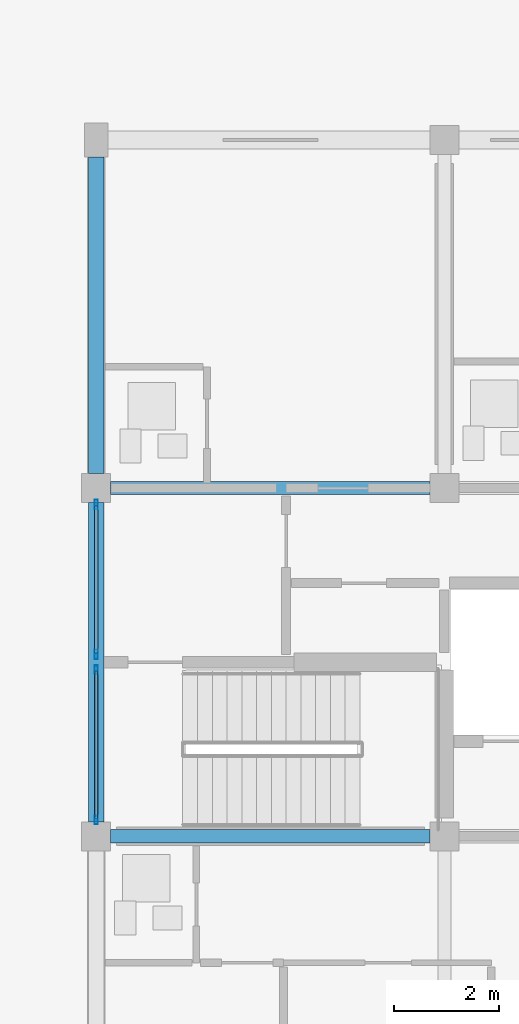
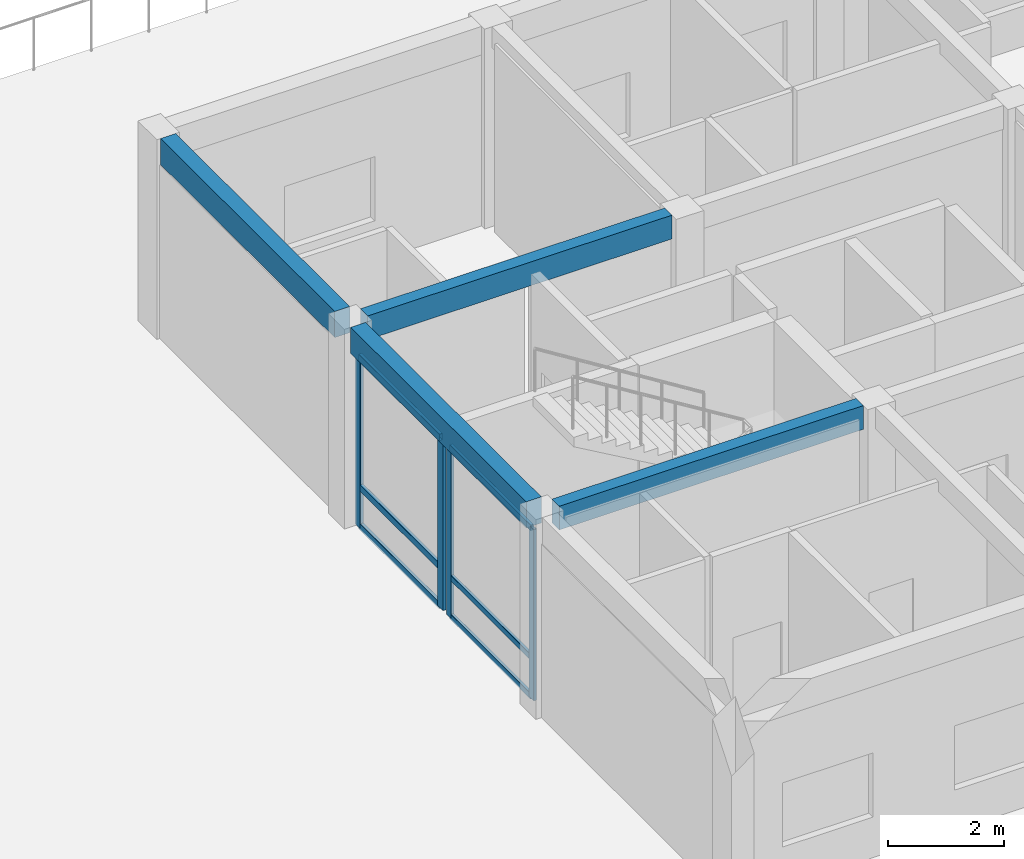
# One storey, part 41 of 92: 10 members, 4 beams, 2 elements without a shape of their own.
"""IFC4 building model written with IfcOpenShell, lengths in metres."""

from ifc_helpers import new_model, si_unit, direction, frame, origin, origin_2d, place, context, subcontext, project, spatial, rectangle, hollow_rectangle, extrude, material, material_profile, profile_set, type_object, element, aggregate, save


model = new_model("IFC4")

# Units and contexts
model_context = context("Model", 3, precision=1e-05, world=origin(), true_north=direction((0.0, 1.0)))
body_context = subcontext(model_context, "Body", "Model", "MODEL_VIEW")
ifc_project = project(units=[si_unit("LENGTHUNIT", "METRE"), si_unit("AREAUNIT", "SQUARE_METRE"), si_unit("VOLUMEUNIT", "CUBIC_METRE"), si_unit("PLANEANGLEUNIT", "RADIAN"), si_unit("MASSUNIT", "GRAM", prefix="KILO")], contexts=[model_context])

# Site, building, storey
site_placement = place(None, origin())
site = spatial("IfcSite", under=ifc_project, at=site_placement, CompositionType="ELEMENT")
building_placement = place(site_placement, origin())
building = spatial("IfcBuilding", under=site, at=building_placement, Name="Kernevlak Ridge Housing Community", CompositionType="ELEMENT")
storey_placement = place(building_placement, frame((0.0, 0.0, 4.199951171875)))
storey = spatial("IfcBuildingStorey", under=building, at=storey_placement, Name="L01", CompositionType="ELEMENT", Elevation=4.199951171875)

# Beams
ifc_material_1 = material(Name="Concrete C35/45", Category="concrete")
ifc_material_profile_1 = material_profile(ifc_material_1, rectangle(XDim=0.25, YDim=0.5, at=origin_2d()), Name="RC 250x500")
ifc_profile_set_1 = profile_set([ifc_material_profile_1], Name="Concrete C35/45")
beam_type_1 = type_object("IfcBeamType", Name="B-06", PredefinedType="T_BEAM", material=ifc_profile_set_1)
for number, where, z_axis, x_axis, name in (
    (1, (119.675048828125, 89.199951171875, 3.949951171875), (1.0, 0.0, 0.0), (0.0, 1.0, 0.0), "Beam B-06 L01 598"),
    (2, (119.675048828125, 95.800048828125, 3.949951171875), (1.0, 0.0, 0.0), (0.0, 1.0, 0.0), "Beam B-06 L01 603"),
):
    element("IfcBeam", number, at=place(storey_placement, frame(where, z_axis=z_axis, x_axis=x_axis)), inside=storey, type_object=beam_type_1, Name=name, PredefinedType="T_BEAM", context=body_context, shape_type="SweptSolid", body=[
        extrude(rectangle(XDim=0.25, YDim=0.5, at=origin_2d()), origin(), (0.0, 0.0, 1.0), 6.050048828125),
    ])

# Curtain wall, members
ifc_material_2 = material(Name="Aluminium EN AW-6060 anodised and laminated glass", Category="aluminium")
curtain_wall_type_1 = type_object("IfcCurtainWallType", Name="CW-05", PredefinedType="NOTDEFINED", material=ifc_material_2)
curtain_wall_1_placement = place(storey_placement, origin())
curtain_wall_1 = element("IfcCurtainWall", 3, at=curtain_wall_1_placement, inside=storey, type_object=curtain_wall_type_1, Name="Curtain wall CW-05 CW-L01-058", PredefinedType="NOTDEFINED")
ifc_material_3 = material(Name="Aluminium EN AW-6060 anodised", Category="aluminium")
ifc_material_profile_2 = material_profile(ifc_material_3, hollow_rectangle(XDim=0.06005859375, YDim=0.159912109375, WallThickness=0.00390625, InnerFilletRadius=0.001953125, OuterFilletRadius=0.00390625, at=origin_2d()), Name="ALU 60x160x4")
ifc_profile_set_2 = profile_set([ifc_material_profile_2], Name="Aluminium EN AW-6060 anodised")
member_type_1 = type_object("IfcMemberType", Name="MU-02", PredefinedType="MULLION", material=ifc_profile_set_2)
member_1_placement = place(storey_placement, frame((119.39990234375, 89.5048828125, 0.0), z_axis=(0.0, 0.0, 1.0), x_axis=(-1.0, 0.0, 0.0)))
member_1 = element("IfcMember", 4, at=member_1_placement, type_object=member_type_1, Name="CW-05 mullion 1", PredefinedType="MULLION", context=body_context, shape_type="SweptSolid", body=[
    extrude(hollow_rectangle(XDim=0.06005859375, YDim=0.159912109375, WallThickness=0.00390625, InnerFilletRadius=0.001953125, OuterFilletRadius=0.00390625, at=origin_2d()), origin(), (0.0, 0.0, 1.0), 3.60009765625),
])
member_2_placement = place(storey_placement, frame((119.39990234375, 92.360107421875, 0.0), z_axis=(0.0, 0.0, 1.0), x_axis=(-1.0, 0.0, 0.0)))
member_2 = element("IfcMember", 5, at=member_2_placement, type_object=member_type_1, Name="CW-05 mullion 2", PredefinedType="MULLION", context=body_context, shape_type="SweptSolid", body=[
    extrude(hollow_rectangle(XDim=0.06005859375, YDim=0.159912109375, WallThickness=0.00390625, InnerFilletRadius=0.001953125, OuterFilletRadius=0.00390625, at=origin_2d()), origin(), (0.0, 0.0, 1.0), 3.60009765625),
])

curtain_wall_type_2 = type_object("IfcCurtainWallType", Name="CW-11", PredefinedType="NOTDEFINED", material=ifc_material_2)
curtain_wall_2_placement = place(storey_placement, origin())
curtain_wall_2 = element("IfcCurtainWall", 6, at=curtain_wall_2_placement, inside=storey, type_object=curtain_wall_type_2, Name="Curtain wall CW-11 CW-L01-059", PredefinedType="NOTDEFINED")
ifc_material_profile_3 = material_profile(ifc_material_3, hollow_rectangle(XDim=0.06494140625, YDim=0.179931640625, WallThickness=0.00439453125, InnerFilletRadius=0.001953125, OuterFilletRadius=0.00439453125, at=origin_2d()), Name="ALU 65x180x4.5")
ifc_profile_set_3 = profile_set([ifc_material_profile_3], Name="Aluminium EN AW-6060 anodised")
member_type_2 = type_object("IfcMemberType", Name="MU-03", PredefinedType="MULLION", material=ifc_profile_set_3)
member_3_placement = place(storey_placement, frame((119.39990234375, 92.642578125, 0.0), z_axis=(0.0, 0.0, 1.0), x_axis=(-1.0, 0.0, 0.0)))
member_3 = element("IfcMember", 7, at=member_3_placement, type_object=member_type_2, Name="CW-11 mullion 1", PredefinedType="MULLION", context=body_context, shape_type="SweptSolid", body=[
    extrude(hollow_rectangle(XDim=0.06494140625, YDim=0.179931640625, WallThickness=0.00439453125, InnerFilletRadius=0.001953125, OuterFilletRadius=0.00439453125, at=origin_2d()), origin(), (0.0, 0.0, 1.0), 3.60009765625),
])
member_4_placement = place(storey_placement, frame((119.39990234375, 95.492431640625, 0.0), z_axis=(0.0, 0.0, 1.0), x_axis=(-1.0, 0.0, 0.0)))
member_4 = element("IfcMember", 8, at=member_4_placement, type_object=member_type_2, Name="CW-11 mullion 2", PredefinedType="MULLION", context=body_context, shape_type="SweptSolid", body=[
    extrude(hollow_rectangle(XDim=0.06494140625, YDim=0.179931640625, WallThickness=0.00439453125, InnerFilletRadius=0.001953125, OuterFilletRadius=0.00439453125, at=origin_2d()), origin(), (0.0, 0.0, 1.0), 3.60009765625),
])

# Beams
ifc_material_profile_4 = material_profile(ifc_material_1, rectangle(XDim=0.300048828125, YDim=0.550048828125, at=origin_2d()), Name="RC 300x550")
ifc_profile_set_4 = profile_set([ifc_material_profile_4], Name="Concrete C35/45")
beam_type_2 = type_object("IfcBeamType", Name="SP-01", PredefinedType="SPANDREL", material=ifc_profile_set_4)
beam_1_placement = place(storey_placement, frame((119.39990234375, 89.47509765625, 3.925048828125), z_axis=(0.0, 1.0, 0.0), x_axis=(-1.0, 0.0, 0.0)))
element("IfcBeam", 9, at=beam_1_placement, inside=storey, type_object=beam_type_2, Name="Beam SP-01 L01 614", PredefinedType="SPANDREL", context=body_context, shape_type="SweptSolid", body=[
    extrude(rectangle(XDim=0.300048828125, YDim=0.550048828125, at=origin_2d()), origin(), (0.0, 0.0, 1.0), 6.0498046875),
])
beam_2_placement = place(storey_placement, frame((119.39990234375, 96.074951171875, 3.925048828125), z_axis=(0.0, 1.0, 0.0), x_axis=(-1.0, 0.0, 0.0)))
element("IfcBeam", 10, at=beam_2_placement, inside=storey, type_object=beam_type_2, Name="Beam SP-01 L01 615", PredefinedType="SPANDREL", context=body_context, shape_type="SweptSolid", body=[
    extrude(rectangle(XDim=0.300048828125, YDim=0.550048828125, at=origin_2d()), origin(), (0.0, 0.0, 1.0), 6.0),
])

# Member
ifc_material_profile_5 = material_profile(ifc_material_3, hollow_rectangle(XDim=0.06005859375, YDim=0.1201171875, WallThickness=0.00390625, InnerFilletRadius=0.001953125, OuterFilletRadius=0.00390625, at=origin_2d()), Name="ALU 60x120x4")
ifc_profile_set_5 = profile_set([ifc_material_profile_5], Name="Aluminium EN AW-6060 anodised")
member_type_3 = type_object("IfcMemberType", Name="TM-02", PredefinedType="USERDEFINED", material=ifc_profile_set_5)
member_5_placement = place(storey_placement, frame((119.39990234375, 89.534912109375, 0.030029296875), z_axis=(0.0, 1.0, 0.0), x_axis=(-1.0, 0.0, 0.0)))
member_5 = element("IfcMember", 11, at=member_5_placement, type_object=member_type_3, Name="CW-05 transom 1.1", ObjectType="TRANSOM", PredefinedType="USERDEFINED", context=body_context, shape_type="SweptSolid", body=[
    extrude(hollow_rectangle(XDim=0.06005859375, YDim=0.1201171875, WallThickness=0.00390625, InnerFilletRadius=0.001953125, OuterFilletRadius=0.00390625, at=origin_2d()), origin(), (0.0, 0.0, 1.0), 2.795166015625),
])

member_6_placement = place(storey_placement, frame((119.39990234375, 89.534912109375, 0.85009765625), z_axis=(0.0, 1.0, 0.0), x_axis=(-1.0, 0.0, 0.0)))
member_6 = element("IfcMember", 12, at=member_6_placement, type_object=member_type_3, Name="CW-05 transom 1.2", ObjectType="TRANSOM", PredefinedType="USERDEFINED", context=body_context, shape_type="SweptSolid", body=[
    extrude(hollow_rectangle(XDim=0.06005859375, YDim=0.1201171875, WallThickness=0.00390625, InnerFilletRadius=0.001953125, OuterFilletRadius=0.00390625, at=origin_2d()), origin(), (0.0, 0.0, 1.0), 2.795166015625),
])

member_7_placement = place(storey_placement, frame((119.39990234375, 89.534912109375, 3.570068359375), z_axis=(0.0, 1.0, 0.0), x_axis=(-1.0, 0.0, 0.0)))
member_7 = element("IfcMember", 13, at=member_7_placement, type_object=member_type_3, Name="CW-05 transom 1.3", ObjectType="TRANSOM", PredefinedType="USERDEFINED", context=body_context, shape_type="SweptSolid", body=[
    extrude(hollow_rectangle(XDim=0.06005859375, YDim=0.1201171875, WallThickness=0.00390625, InnerFilletRadius=0.001953125, OuterFilletRadius=0.00390625, at=origin_2d()), origin(), (0.0, 0.0, 1.0), 2.795166015625),
])

aggregate(curtain_wall_1, [member_1, member_2, member_5, member_6, member_7])

ifc_material_profile_6 = material_profile(ifc_material_3, hollow_rectangle(XDim=0.06494140625, YDim=0.139892578125, WallThickness=0.00390625, InnerFilletRadius=0.001953125, OuterFilletRadius=0.00390625, at=origin_2d()), Name="ALU 65x140x4")
ifc_profile_set_6 = profile_set([ifc_material_profile_6], Name="Aluminium EN AW-6060 anodised")
member_type_4 = type_object("IfcMemberType", Name="TM-03", PredefinedType="USERDEFINED", material=ifc_profile_set_6)
member_8_placement = place(storey_placement, frame((119.39990234375, 92.675048828125, 0.032470703125), z_axis=(0.0, 1.0, 0.0), x_axis=(-1.0, 0.0, 0.0)))
member_8 = element("IfcMember", 14, at=member_8_placement, type_object=member_type_4, Name="CW-11 transom 1.1", ObjectType="TRANSOM", PredefinedType="USERDEFINED", context=body_context, shape_type="SweptSolid", body=[
    extrude(hollow_rectangle(XDim=0.06494140625, YDim=0.139892578125, WallThickness=0.00390625, InnerFilletRadius=0.001953125, OuterFilletRadius=0.00390625, at=origin_2d()), origin(), (0.0, 0.0, 1.0), 2.784912109375),
])

member_9_placement = place(storey_placement, frame((119.39990234375, 92.675048828125, 0.85009765625), z_axis=(0.0, 1.0, 0.0), x_axis=(-1.0, 0.0, 0.0)))
member_9 = element("IfcMember", 15, at=member_9_placement, type_object=member_type_4, Name="CW-11 transom 1.2", ObjectType="TRANSOM", PredefinedType="USERDEFINED", context=body_context, shape_type="SweptSolid", body=[
    extrude(hollow_rectangle(XDim=0.06494140625, YDim=0.139892578125, WallThickness=0.00390625, InnerFilletRadius=0.001953125, OuterFilletRadius=0.00390625, at=origin_2d()), origin(), (0.0, 0.0, 1.0), 2.784912109375),
])

member_10_placement = place(storey_placement, frame((119.39990234375, 92.675048828125, 3.567626953125), z_axis=(0.0, 1.0, 0.0), x_axis=(-1.0, 0.0, 0.0)))
member_10 = element("IfcMember", 16, at=member_10_placement, type_object=member_type_4, Name="CW-11 transom 1.3", ObjectType="TRANSOM", PredefinedType="USERDEFINED", context=body_context, shape_type="SweptSolid", body=[
    extrude(hollow_rectangle(XDim=0.06494140625, YDim=0.139892578125, WallThickness=0.00390625, InnerFilletRadius=0.001953125, OuterFilletRadius=0.00390625, at=origin_2d()), origin(), (0.0, 0.0, 1.0), 2.784912109375),
])

aggregate(curtain_wall_2, [member_3, member_4, member_8, member_9, member_10])

save(model, "model.ifc")
